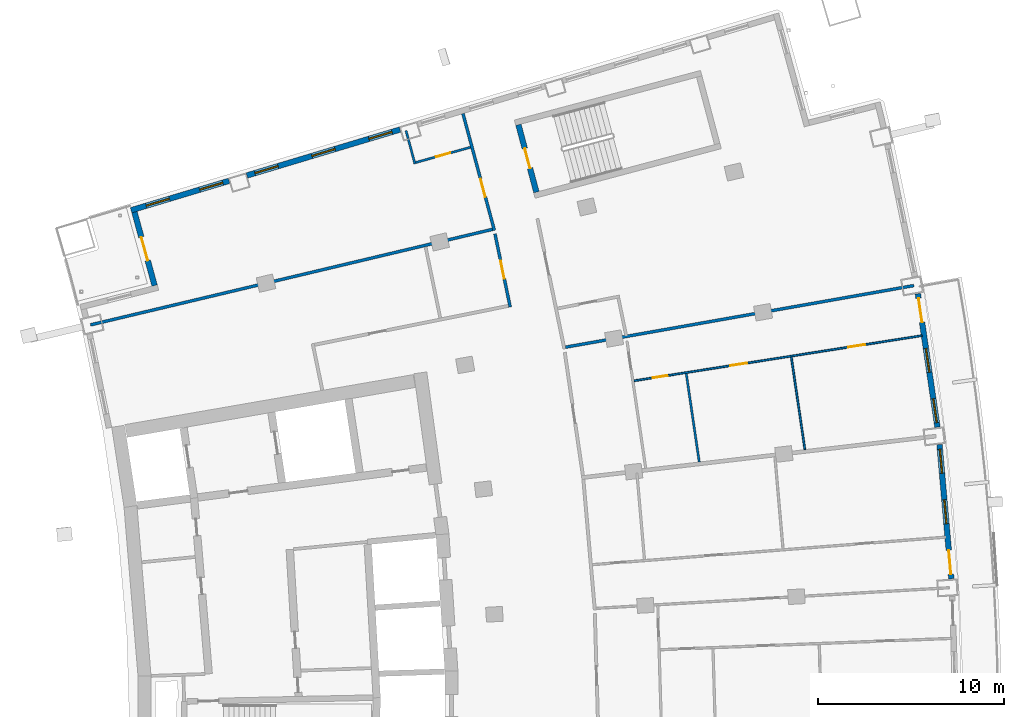
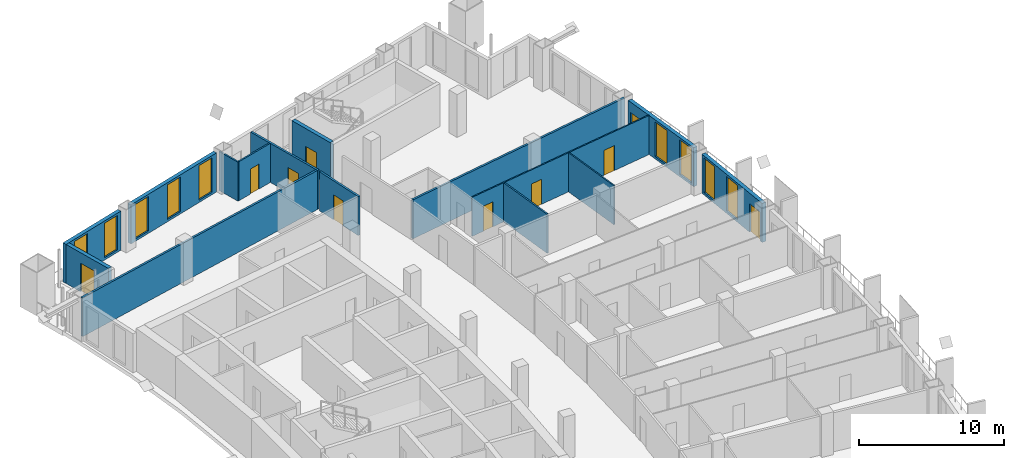
# One storey, part 16 of 21: 15 walls, 10 doors, 9 windows, 19 openings.
"""IFC4 building model written with IfcOpenShell, lengths in metres."""

from ifc_helpers import new_model, si_unit, direction, frame, frame_2d, origin, place, context, subcontext, project, spatial, rectangle, extrude, material, layer, layer_set, type_object, element, fill, save


model = new_model("IFC4")

# Units and contexts
model_context = context("Model", 3, precision=1e-05, world=origin(), true_north=direction((0.0, 1.0)))
body_context = subcontext(model_context, "Body", "Model", "MODEL_VIEW")
ifc_project = project(units=[si_unit("LENGTHUNIT", "METRE"), si_unit("AREAUNIT", "SQUARE_METRE"), si_unit("VOLUMEUNIT", "CUBIC_METRE"), si_unit("PLANEANGLEUNIT", "RADIAN"), si_unit("MASSUNIT", "GRAM", prefix="KILO")], contexts=[model_context])

# Site, building, storey
site_placement = place(None, origin())
site = spatial("IfcSite", under=ifc_project, at=site_placement, CompositionType="ELEMENT")
building_placement = place(site_placement, origin())
building = spatial("IfcBuilding", under=site, at=building_placement, Name="Alderwake Tower", CompositionType="ELEMENT")
storey_placement = place(building_placement, frame((0.0, 0.0, 146.0)))
storey = spatial("IfcBuildingStorey", under=building, at=storey_placement, Name="L35", CompositionType="ELEMENT", Elevation=146.0)

# Wall, opening, door
ifc_material_1 = material(Name="Concrete C70/85", Category="concrete")
ifc_layer_1 = layer(ifc_material_1, 0.300048828125)
ifc_layer_set_1 = layer_set([ifc_layer_1], Name="Core wall stair enclosure 300 C70-85")
wall_type_1 = type_object("IfcWallType", Name="Core wall stair enclosure 300 C70-85", PredefinedType="SHEAR", material=ifc_layer_set_1)
wall_1_placement = place(storey_placement, frame((37.8603515625, 90.452392578125, 0.0), z_axis=(0.0, 0.0, 1.0), x_axis=(-0.257411420208, 0.966301899381, 0.0)))
wall_1 = element("IfcWall", 1, at=wall_1_placement, inside=storey, type_object=wall_type_1, Name="Core wall CW.083", PredefinedType="SHEAR", context=body_context, shape_type="SweptSolid", body=[
    extrude(rectangle(XDim=3.750244140625, YDim=0.300048828125, at=frame_2d((1.875, 0.0))), origin(), (0.0, 0.0, 1.0), 3.60009765625),
])
opening_1_placement = place(wall_1_placement, frame((1.324951171875, 0.0, 0.0)))
opening_1 = element("IfcOpeningElement", 2, at=opening_1_placement, cuts=wall_1, Name="Opening C062", PredefinedType="OPENING", context=body_context, shape_type="SweptSolid", body=[
    extrude(rectangle(XDim=1.10009765625, YDim=2.10009765625, at=frame_2d((0.550048828125, 1.050048828125))), frame((0.0, 0.159912109375, 0.0), z_axis=(0.0, -1.0, 0.0), x_axis=(1.0, 0.0, 0.0)), (0.0, 0.0, 1.0), 0.320068359375),
])
ifc_material_2 = material(Name="Steel-framed fire door leaf", Category="steel")
door_type_1 = type_object("IfcDoorType", Name="Core stair door 1100 fire-rated", OperationType="SINGLE_SWING_LEFT", PredefinedType="DOOR", material=ifc_material_2)
door_1_placement = place(opening_1_placement, origin())
door_1 = element("IfcDoor", 3, at=door_1_placement, inside=storey, type_object=door_type_1, Name="Stair door", OperationType="SINGLE_SWING_RIGHT", OverallHeight=2.10009765625, OverallWidth=1.10009765625, PredefinedType="DOOR", context=body_context, shape_type="SweptSolid", body=[
    extrude(rectangle(XDim=1.10009765625, YDim=2.10009765625, at=frame_2d((0.550048828125, 1.050048828125))), frame((0.0, 0.02490234375, 0.0), z_axis=(0.0, -1.0, 0.0), x_axis=(1.0, 0.0, 0.0)), (0.0, 0.0, 1.0), 0.050048828125),
])
fill(opening_1, door_1)

ifc_material_3 = material(Name="Gypsum board on metal studs, rated")
ifc_layer_2 = layer(ifc_material_3, 0.159912109375)
ifc_layer_set_2 = layer_set([ifc_layer_2], Name="Corridor wall 160")
wall_type_2 = type_object("IfcWallType", Name="Corridor wall 160", PredefinedType="PARTITIONING", material=ifc_layer_set_2)
wall_2_placement = place(storey_placement, frame((35.600830078125, 88.392578125, 0.0), z_axis=(0.0, 0.0, 1.0), x_axis=(-0.259509260101, 0.965740619381, 0.0)))
wall_2 = element("IfcWall", 4, at=wall_2_placement, inside=storey, type_object=wall_type_2, Name="WL/L35/W15", PredefinedType="PARTITIONING", context=body_context, shape_type="SweptSolid", body=[
    extrude(rectangle(XDim=6.50732421875, YDim=0.159912109375, at=frame_2d((3.253662109375, 0.0))), origin(), (0.0, 0.0, 1.0), 3.280029296875),
])
opening_2_placement = place(wall_2_placement, frame((1.865478515625, 0.0, 0.0)))
opening_2 = element("IfcOpeningElement", 5, at=opening_2_placement, cuts=wall_2, Name="Opening R09-U09.1", PredefinedType="OPENING", context=body_context, shape_type="SweptSolid", body=[
    extrude(rectangle(XDim=1.0, YDim=2.10009765625, at=frame_2d((0.5, 1.050048828125))), frame((0.0, 0.08984375, 0.0), z_axis=(0.0, -1.0, 0.0), x_axis=(1.0, 0.0, 0.0)), (0.0, 0.0, 1.0), 0.179931640625),
])
ifc_material_4 = material(Name="Solid timber leaf in steel frame", Category="steel")
door_type_2 = type_object("IfcDoorType", Name="Flat entrance door 1000 fire-rated", OperationType="SINGLE_SWING_LEFT", PredefinedType="DOOR", material=ifc_material_4)
door_2_placement = place(opening_2_placement, origin())
door_2 = element("IfcDoor", 6, at=door_2_placement, inside=storey, type_object=door_type_2, Name="DR/L35/U09.1", OperationType="SINGLE_SWING_LEFT", OverallHeight=2.10009765625, OverallWidth=1.0, PredefinedType="DOOR", context=body_context, shape_type="SweptSolid", body=[
    extrude(rectangle(XDim=1.0, YDim=2.10009765625, at=frame_2d((0.5, 1.050048828125))), frame((0.0, 0.02490234375, 0.0), z_axis=(0.0, -1.0, 0.0), x_axis=(1.0, 0.0, 0.0)), (0.0, 0.0, 1.0), 0.050048828125),
])
fill(opening_2, door_2)

# Wall
wall_3_placement = place(storey_placement, frame((35.502197265625, 88.451416015625, 0.0), z_axis=(0.0, 0.0, 1.0), x_axis=(-0.972894913244, -0.231247676278, 0.0)))
element("IfcWall", 7, at=wall_3_placement, inside=storey, type_object=wall_type_2, Name="WL/L35/W17", PredefinedType="PARTITIONING", context=body_context, shape_type="SweptSolid", body=[
    extrude(rectangle(XDim=22.220458984375, YDim=0.159912109375, at=frame_2d((11.1103515625, 0.0))), origin(), (0.0, 0.0, 1.0), 3.280029296875),
])

# Wall, opening, door
wall_4_placement = place(storey_placement, frame((36.451416015625, 84.272705078125, 0.0), z_axis=(0.0, 0.0, 1.0), x_axis=(-0.203258199701, 0.979125172924, 0.0)))
wall_4 = element("IfcWall", 8, at=wall_4_placement, inside=storey, type_object=wall_type_2, Name="WL/L35/W18", PredefinedType="PARTITIONING", context=body_context, shape_type="SweptSolid", body=[
    extrude(rectangle(XDim=4.020263671875, YDim=0.159912109375, at=frame_2d((2.01025390625, 0.0))), origin(), (0.0, 0.0, 1.0), 3.280029296875),
])
opening_3_placement = place(wall_4_placement, frame((1.549560546875, 0.0, 0.0)))
opening_3 = element("IfcOpeningElement", 9, at=opening_3_placement, cuts=wall_4, Name="Opening R09-SBN2", PredefinedType="OPENING", context=body_context, shape_type="SweptSolid", body=[
    extrude(rectangle(XDim=1.0, YDim=2.10009765625, at=frame_2d((0.5, 1.050048828125))), frame((0.0, 0.08984375, 0.0), z_axis=(0.0, -1.0, 0.0), x_axis=(1.0, 0.0, 0.0)), (0.0, 0.0, 1.0), 0.179931640625),
])
ifc_material_5 = material(Name="Steel-framed fire door leaf", Category="steel")
door_type_3 = type_object("IfcDoorType", Name="Plant room door 1000 fire-rated", OperationType="SINGLE_SWING_LEFT", PredefinedType="DOOR", material=ifc_material_5)
door_3_placement = place(opening_3_placement, origin())
door_3 = element("IfcDoor", 10, at=door_3_placement, inside=storey, type_object=door_type_3, Name="DR/L35/SBN2", OperationType="SINGLE_SWING_LEFT", OverallHeight=2.10009765625, OverallWidth=1.0, PredefinedType="DOOR", context=body_context, shape_type="SweptSolid", body=[
    extrude(rectangle(XDim=1.0, YDim=2.10009765625, at=frame_2d((0.5, 1.050048828125))), frame((0.0, 0.02490234375, 0.0), z_axis=(0.0, -1.0, 0.0), x_axis=(1.0, 0.0, 0.0)), (0.0, 0.0, 1.0), 0.050048828125),
])
fill(opening_3, door_3)

# Wall
wall_5_placement = place(storey_placement, frame((58.157958984375, 85.427978515625, 0.0), z_axis=(0.0, 0.0, 1.0), x_axis=(-0.9847161674, -0.174166786904, 0.0)))
element("IfcWall", 11, at=wall_5_placement, inside=storey, type_object=wall_type_2, Name="WL/L35/W29", PredefinedType="PARTITIONING", context=body_context, shape_type="SweptSolid", body=[
    extrude(rectangle(XDim=19.02197265625, YDim=0.159912109375, at=frame_2d((9.510986328125, 0.0))), origin(), (0.0, 0.0, 1.0), 3.280029296875),
])

# Wall, openings, door, windows
ifc_material_6 = material(Name="Precast concrete C50/60 spandrel panel", Category="concrete")
ifc_layer_3 = layer(ifc_material_6, 0.300048828125)
ifc_layer_set_3 = layer_set([ifc_layer_3], Name="External wall EW1 Precast concrete C50/60 spandrel")
wall_type_3 = type_object("IfcWallType", Name="External wall EW1 Precast concrete C50/60 spandrel", PredefinedType="SOLIDWALL", material=ifc_layer_set_3)
wall_6_placement = place(storey_placement, frame((60.169677734375, 69.65966796875, 0.0), z_axis=(0.0, 0.0, 1.0), x_axis=(-0.08737260162, 0.996175701614, 0.0)))
wall_6 = element("IfcWall", 12, at=wall_6_placement, inside=storey, type_object=wall_type_3, Name="External wall 17", PredefinedType="SOLIDWALL", context=body_context, shape_type="SweptSolid", body=[
    extrude(rectangle(XDim=7.245361328125, YDim=0.300048828125, at=frame_2d((3.62255859375, 0.0))), origin(), (0.0, 0.0, 1.0), 3.280029296875),
])
opening_4_placement = place(wall_6_placement, frame((0.2470703125, 0.0, 0.0)))
opening_4 = element("IfcOpeningElement", 13, at=opening_4_placement, cuts=wall_6, Name="Opening D07", PredefinedType="OPENING", context=body_context, shape_type="SweptSolid", body=[
    extrude(rectangle(XDim=1.300048828125, YDim=2.39990234375, at=frame_2d((0.64990234375, 1.199951171875))), frame((0.0, 0.159912109375, 0.0), z_axis=(0.0, -1.0, 0.0), x_axis=(1.0, 0.0, 0.0)), (0.0, 0.0, 1.0), 0.320068359375),
])
opening_5_placement = place(wall_6_placement, frame((2.97265625, 0.0, 0.199951171875)))
opening_5 = element("IfcOpeningElement", 14, at=opening_5_placement, cuts=wall_6, Name="Opening W1", PredefinedType="OPENING", context=body_context, shape_type="SweptSolid", body=[
    extrude(rectangle(XDim=1.300048828125, YDim=2.89990234375, at=frame_2d((0.64990234375, 1.449951171875))), frame((0.0, 0.159912109375, 0.0), z_axis=(0.0, -1.0, 0.0), x_axis=(1.0, 0.0, 0.0)), (0.0, 0.0, 1.0), 0.320068359375),
])
opening_6_placement = place(wall_6_placement, frame((5.698486328125, 0.0, 0.199951171875)))
opening_6 = element("IfcOpeningElement", 15, at=opening_6_placement, cuts=wall_6, Name="Opening W1", PredefinedType="OPENING", context=body_context, shape_type="SweptSolid", body=[
    extrude(rectangle(XDim=1.300048828125, YDim=2.89990234375, at=frame_2d((0.64990234375, 1.449951171875))), frame((0.0, 0.159912109375, 0.0), z_axis=(0.0, -1.0, 0.0), x_axis=(1.0, 0.0, 0.0)), (0.0, 0.0, 1.0), 0.320068359375),
])
ifc_material_7 = material(Name="Bronze tinted glass in aluminium frame", Category="aluminium")
door_type_4 = type_object("IfcDoorType", Name="Balcony door BD sliding", OperationType="SLIDING_TO_LEFT", PredefinedType="DOOR", material=ifc_material_7)
door_4_placement = place(opening_4_placement, origin())
door_4 = element("IfcDoor", 16, at=door_4_placement, inside=storey, type_object=door_type_4, Name="Door D07", OperationType="SLIDING_TO_LEFT", OverallHeight=2.39990234375, OverallWidth=1.300048828125, PredefinedType="DOOR", context=body_context, shape_type="SweptSolid", body=[
    extrude(rectangle(XDim=1.300048828125, YDim=2.39990234375, at=frame_2d((0.64990234375, 1.199951171875))), frame((0.0, 0.02490234375, 0.0), z_axis=(0.0, -1.0, 0.0), x_axis=(1.0, 0.0, 0.0)), (0.0, 0.0, 1.0), 0.050048828125),
])
fill(opening_4, door_4)
ifc_material_8 = material(Name="Bronze tinted glass in aluminium frame", Category="aluminium")
window_type = type_object("IfcWindowType", Name="Window W1 tall fixed and vent", PartitioningType="DOUBLE_PANEL_VERTICAL", PredefinedType="WINDOW", material=ifc_material_8)
window_1_placement = place(opening_5_placement, origin())
window_1 = element("IfcWindow", 17, at=window_1_placement, inside=storey, type_object=window_type, Name="Window W1 tall fixed and vent", OverallHeight=2.89990234375, OverallWidth=1.300048828125, PartitioningType="DOUBLE_PANEL_VERTICAL", PredefinedType="WINDOW", context=body_context, shape_type="SweptSolid", body=[
    extrude(rectangle(XDim=1.300048828125, YDim=2.89990234375, at=frame_2d((0.64990234375, 1.449951171875))), frame((0.0, 0.030029296875, 0.0), z_axis=(0.0, -1.0, 0.0), x_axis=(1.0, 0.0, 0.0)), (0.0, 0.0, 1.0), 0.06005859375),
])
fill(opening_5, window_1)
window_2_placement = place(opening_6_placement, origin())
window_2 = element("IfcWindow", 18, at=window_2_placement, inside=storey, type_object=window_type, Name="Window W1 tall fixed and vent", OverallHeight=2.89990234375, OverallWidth=1.300048828125, PartitioningType="DOUBLE_PANEL_VERTICAL", PredefinedType="WINDOW", context=body_context, shape_type="SweptSolid", body=[
    extrude(rectangle(XDim=1.300048828125, YDim=2.89990234375, at=frame_2d((0.64990234375, 1.449951171875))), frame((0.0, 0.030029296875, 0.0), z_axis=(0.0, -1.0, 0.0), x_axis=(1.0, 0.0, 0.0)), (0.0, 0.0, 1.0), 0.06005859375),
])
fill(opening_6, window_2)

wall_7_placement = place(storey_placement, frame((59.426513671875, 77.81689453125, 0.0), z_axis=(0.0, 0.0, 1.0), x_axis=(-0.145331014962, 0.989383088642, 0.0)))
wall_7 = element("IfcWall", 19, at=wall_7_placement, inside=storey, type_object=wall_type_3, Name="External wall 18", PredefinedType="SOLIDWALL", context=body_context, shape_type="SweptSolid", body=[
    extrude(rectangle(XDim=7.245361328125, YDim=0.300048828125, at=frame_2d((3.62255859375, 0.0))), origin(), (0.0, 0.0, 1.0), 3.280029296875),
])
opening_7_placement = place(wall_7_placement, frame((0.2470703125, 0.0, 0.199951171875)))
opening_7 = element("IfcOpeningElement", 20, at=opening_7_placement, cuts=wall_7, Name="Opening W1", PredefinedType="OPENING", context=body_context, shape_type="SweptSolid", body=[
    extrude(rectangle(XDim=1.300048828125, YDim=2.89990234375, at=frame_2d((0.64990234375, 1.449951171875))), frame((0.0, 0.159912109375, 0.0), z_axis=(0.0, -1.0, 0.0), x_axis=(1.0, 0.0, 0.0)), (0.0, 0.0, 1.0), 0.320068359375),
])
opening_8_placement = place(wall_7_placement, frame((2.97265625, 0.0, 0.199951171875)))
opening_8 = element("IfcOpeningElement", 21, at=opening_8_placement, cuts=wall_7, Name="Opening W1", PredefinedType="OPENING", context=body_context, shape_type="SweptSolid", body=[
    extrude(rectangle(XDim=1.300048828125, YDim=2.89990234375, at=frame_2d((0.64990234375, 1.449951171875))), frame((0.0, 0.159912109375, 0.0), z_axis=(0.0, -1.0, 0.0), x_axis=(1.0, 0.0, 0.0)), (0.0, 0.0, 1.0), 0.320068359375),
])
opening_9_placement = place(wall_7_placement, frame((5.698486328125, 0.0, 0.0)))
opening_9 = element("IfcOpeningElement", 22, at=opening_9_placement, cuts=wall_7, Name="Opening D08", PredefinedType="OPENING", context=body_context, shape_type="SweptSolid", body=[
    extrude(rectangle(XDim=1.300048828125, YDim=2.39990234375, at=frame_2d((0.64990234375, 1.199951171875))), frame((0.0, 0.159912109375, 0.0), z_axis=(0.0, -1.0, 0.0), x_axis=(1.0, 0.0, 0.0)), (0.0, 0.0, 1.0), 0.320068359375),
])
door_5_placement = place(opening_9_placement, origin())
door_5 = element("IfcDoor", 23, at=door_5_placement, inside=storey, type_object=door_type_4, Name="Door D08", OperationType="SLIDING_TO_LEFT", OverallHeight=2.39990234375, OverallWidth=1.300048828125, PredefinedType="DOOR", context=body_context, shape_type="SweptSolid", body=[
    extrude(rectangle(XDim=1.300048828125, YDim=2.39990234375, at=frame_2d((0.64990234375, 1.199951171875))), frame((0.0, 0.02490234375, 0.0), z_axis=(0.0, -1.0, 0.0), x_axis=(1.0, 0.0, 0.0)), (0.0, 0.0, 1.0), 0.050048828125),
])
fill(opening_9, door_5)
window_3_placement = place(opening_7_placement, origin())
window_3 = element("IfcWindow", 24, at=window_3_placement, inside=storey, type_object=window_type, Name="Window W1 tall fixed and vent", OverallHeight=2.89990234375, OverallWidth=1.300048828125, PartitioningType="DOUBLE_PANEL_VERTICAL", PredefinedType="WINDOW", context=body_context, shape_type="SweptSolid", body=[
    extrude(rectangle(XDim=1.300048828125, YDim=2.89990234375, at=frame_2d((0.64990234375, 1.449951171875))), frame((0.0, 0.030029296875, 0.0), z_axis=(0.0, -1.0, 0.0), x_axis=(1.0, 0.0, 0.0)), (0.0, 0.0, 1.0), 0.06005859375),
])
fill(opening_7, window_3)
window_4_placement = place(opening_8_placement, origin())
window_4 = element("IfcWindow", 25, at=window_4_placement, inside=storey, type_object=window_type, Name="Window W1 tall fixed and vent", OverallHeight=2.89990234375, OverallWidth=1.300048828125, PartitioningType="DOUBLE_PANEL_VERTICAL", PredefinedType="WINDOW", context=body_context, shape_type="SweptSolid", body=[
    extrude(rectangle(XDim=1.300048828125, YDim=2.89990234375, at=frame_2d((0.64990234375, 1.449951171875))), frame((0.0, 0.030029296875, 0.0), z_axis=(0.0, -1.0, 0.0), x_axis=(1.0, 0.0, 0.0)), (0.0, 0.0, 1.0), 0.06005859375),
])
fill(opening_8, window_4)

# Wall, openings, windows
ifc_material_9 = material(Name="Bronze metal cladding on lightweight framing")
ifc_layer_4 = layer(ifc_material_9, 0.300048828125)
ifc_layer_set_4 = layer_set([ifc_layer_4], Name="External wall EW2 bronze metal cladding")
wall_type_4 = type_object("IfcWallType", Name="External wall EW2 bronze metal cladding", PredefinedType="SOLIDWALL", material=ifc_layer_set_4)
wall_8_placement = place(storey_placement, frame((30.527587890625, 93.818115234375, 0.0), z_axis=(0.0, 0.0, 1.0), x_axis=(-0.957768419769, -0.287540699891, 0.0)))
wall_8 = element("IfcWall", 26, at=wall_8_placement, inside=storey, type_object=wall_type_4, Name="External wall 26", PredefinedType="SOLIDWALL", context=body_context, shape_type="SweptSolid", body=[
    extrude(rectangle(XDim=8.595947265625, YDim=0.300048828125, at=frame_2d((4.2978515625, 0.0))), origin(), (0.0, 0.0, 1.0), 3.280029296875),
])
opening_10_placement = place(wall_8_placement, frame((0.447998046875, 0.0, 0.199951171875)))
opening_10 = element("IfcOpeningElement", 27, at=opening_10_placement, cuts=wall_8, Name="Opening W1", PredefinedType="OPENING", context=body_context, shape_type="SweptSolid", body=[
    extrude(rectangle(XDim=1.300048828125, YDim=2.89990234375, at=frame_2d((0.64990234375, 1.449951171875))), frame((0.0, 0.159912109375, 0.0), z_axis=(0.0, -1.0, 0.0), x_axis=(1.0, 0.0, 0.0)), (0.0, 0.0, 1.0), 0.320068359375),
])
opening_11_placement = place(wall_8_placement, frame((3.64794921875, 0.0, 0.199951171875)))
opening_11 = element("IfcOpeningElement", 28, at=opening_11_placement, cuts=wall_8, Name="Opening W1", PredefinedType="OPENING", context=body_context, shape_type="SweptSolid", body=[
    extrude(rectangle(XDim=1.300048828125, YDim=2.89990234375, at=frame_2d((0.64990234375, 1.449951171875))), frame((0.0, 0.159912109375, 0.0), z_axis=(0.0, -1.0, 0.0), x_axis=(1.0, 0.0, 0.0)), (0.0, 0.0, 1.0), 0.320068359375),
])
opening_12_placement = place(wall_8_placement, frame((6.84814453125, 0.0, 0.199951171875)))
opening_12 = element("IfcOpeningElement", 29, at=opening_12_placement, cuts=wall_8, Name="Opening W1", PredefinedType="OPENING", context=body_context, shape_type="SweptSolid", body=[
    extrude(rectangle(XDim=1.300048828125, YDim=2.89990234375, at=frame_2d((0.64990234375, 1.449951171875))), frame((0.0, 0.159912109375, 0.0), z_axis=(0.0, -1.0, 0.0), x_axis=(1.0, 0.0, 0.0)), (0.0, 0.0, 1.0), 0.320068359375),
])
window_5_placement = place(opening_10_placement, origin())
window_5 = element("IfcWindow", 30, at=window_5_placement, inside=storey, type_object=window_type, Name="Window W1 tall fixed and vent", OverallHeight=2.89990234375, OverallWidth=1.300048828125, PartitioningType="DOUBLE_PANEL_VERTICAL", PredefinedType="WINDOW", context=body_context, shape_type="SweptSolid", body=[
    extrude(rectangle(XDim=1.300048828125, YDim=2.89990234375, at=frame_2d((0.64990234375, 1.449951171875))), frame((0.0, 0.030029296875, 0.0), z_axis=(0.0, -1.0, 0.0), x_axis=(1.0, 0.0, 0.0)), (0.0, 0.0, 1.0), 0.06005859375),
])
fill(opening_10, window_5)
window_6_placement = place(opening_11_placement, origin())
window_6 = element("IfcWindow", 31, at=window_6_placement, inside=storey, type_object=window_type, Name="Window W1 tall fixed and vent", OverallHeight=2.89990234375, OverallWidth=1.300048828125, PartitioningType="DOUBLE_PANEL_VERTICAL", PredefinedType="WINDOW", context=body_context, shape_type="SweptSolid", body=[
    extrude(rectangle(XDim=1.300048828125, YDim=2.89990234375, at=frame_2d((0.64990234375, 1.449951171875))), frame((0.0, 0.030029296875, 0.0), z_axis=(0.0, -1.0, 0.0), x_axis=(1.0, 0.0, 0.0)), (0.0, 0.0, 1.0), 0.06005859375),
])
fill(opening_11, window_6)
window_7_placement = place(opening_12_placement, origin())
window_7 = element("IfcWindow", 32, at=window_7_placement, inside=storey, type_object=window_type, Name="Window W1 tall fixed and vent", OverallHeight=2.89990234375, OverallWidth=1.300048828125, PartitioningType="DOUBLE_PANEL_VERTICAL", PredefinedType="WINDOW", context=body_context, shape_type="SweptSolid", body=[
    extrude(rectangle(XDim=1.300048828125, YDim=2.89990234375, at=frame_2d((0.64990234375, 1.449951171875))), frame((0.0, 0.030029296875, 0.0), z_axis=(0.0, -1.0, 0.0), x_axis=(1.0, 0.0, 0.0)), (0.0, 0.0, 1.0), 0.06005859375),
])
fill(opening_12, window_7)

wall_9_placement = place(storey_placement, frame((21.332763671875, 91.0576171875, 0.0), z_axis=(0.0, 0.0, 1.0), x_axis=(-0.957767615614, -0.287543378434, 0.0)))
wall_9 = element("IfcWall", 33, at=wall_9_placement, inside=storey, type_object=wall_type_4, Name="External wall 27", PredefinedType="SOLIDWALL", context=body_context, shape_type="SweptSolid", body=[
    extrude(rectangle(XDim=5.499267578125, YDim=0.300048828125, at=frame_2d((2.74951171875, 0.0))), origin(), (0.0, 0.0, 1.0), 3.280029296875),
])
opening_13_placement = place(wall_9_placement, frame((0.34814453125, 0.0, 0.199951171875)))
opening_13 = element("IfcOpeningElement", 34, at=opening_13_placement, cuts=wall_9, Name="Opening W1", PredefinedType="OPENING", context=body_context, shape_type="SweptSolid", body=[
    extrude(rectangle(XDim=1.300048828125, YDim=2.89990234375, at=frame_2d((0.64990234375, 1.449951171875))), frame((0.0, 0.159912109375, 0.0), z_axis=(0.0, -1.0, 0.0), x_axis=(1.0, 0.0, 0.0)), (0.0, 0.0, 1.0), 0.320068359375),
])
opening_14_placement = place(wall_9_placement, frame((3.34912109375, 0.0, 0.199951171875)))
opening_14 = element("IfcOpeningElement", 35, at=opening_14_placement, cuts=wall_9, Name="Opening W1", PredefinedType="OPENING", context=body_context, shape_type="SweptSolid", body=[
    extrude(rectangle(XDim=1.300048828125, YDim=2.89990234375, at=frame_2d((0.64990234375, 1.449951171875))), frame((0.0, 0.159912109375, 0.0), z_axis=(0.0, -1.0, 0.0), x_axis=(1.0, 0.0, 0.0)), (0.0, 0.0, 1.0), 0.320068359375),
])
window_8_placement = place(opening_13_placement, origin())
window_8 = element("IfcWindow", 36, at=window_8_placement, inside=storey, type_object=window_type, Name="Window W1 tall fixed and vent", OverallHeight=2.89990234375, OverallWidth=1.300048828125, PartitioningType="DOUBLE_PANEL_VERTICAL", PredefinedType="WINDOW", context=body_context, shape_type="SweptSolid", body=[
    extrude(rectangle(XDim=1.300048828125, YDim=2.89990234375, at=frame_2d((0.64990234375, 1.449951171875))), frame((0.0, 0.030029296875, 0.0), z_axis=(0.0, -1.0, 0.0), x_axis=(1.0, 0.0, 0.0)), (0.0, 0.0, 1.0), 0.06005859375),
])
fill(opening_13, window_8)
window_9_placement = place(opening_14_placement, origin())
window_9 = element("IfcWindow", 37, at=window_9_placement, inside=storey, type_object=window_type, Name="Window W1 tall fixed and vent", OverallHeight=2.89990234375, OverallWidth=1.300048828125, PartitioningType="DOUBLE_PANEL_VERTICAL", PredefinedType="WINDOW", context=body_context, shape_type="SweptSolid", body=[
    extrude(rectangle(XDim=1.300048828125, YDim=2.89990234375, at=frame_2d((0.64990234375, 1.449951171875))), frame((0.0, 0.030029296875, 0.0), z_axis=(0.0, -1.0, 0.0), x_axis=(1.0, 0.0, 0.0)), (0.0, 0.0, 1.0), 0.06005859375),
])
fill(opening_14, window_9)

# Wall, opening, door
wall_10_placement = place(storey_placement, frame((16.248779296875, 89.374755859375, 0.0), z_axis=(0.0, 0.0, 1.0), x_axis=(0.264607053468, -0.964356317579, 0.0)))
wall_10 = element("IfcWall", 38, at=wall_10_placement, inside=storey, type_object=wall_type_4, Name="External wall 28", PredefinedType="SOLIDWALL", context=body_context, shape_type="SweptSolid", body=[
    extrude(rectangle(XDim=4.090087890625, YDim=0.300048828125, at=frame_2d((2.044921875, 0.0))), origin(), (0.0, 0.0, 1.0), 3.280029296875),
])
opening_15_placement = place(wall_10_placement, frame((1.39501953125, 0.0, 0.0)))
opening_15 = element("IfcOpeningElement", 39, at=opening_15_placement, cuts=wall_10, Name="Opening D09", PredefinedType="OPENING", context=body_context, shape_type="SweptSolid", body=[
    extrude(rectangle(XDim=1.300048828125, YDim=2.39990234375, at=frame_2d((0.64990234375, 1.199951171875))), frame((0.0, 0.159912109375, 0.0), z_axis=(0.0, -1.0, 0.0), x_axis=(1.0, 0.0, 0.0)), (0.0, 0.0, 1.0), 0.320068359375),
])
door_6_placement = place(opening_15_placement, origin())
door_6 = element("IfcDoor", 40, at=door_6_placement, inside=storey, type_object=door_type_4, Name="Door D09", OperationType="SLIDING_TO_LEFT", OverallHeight=2.39990234375, OverallWidth=1.300048828125, PredefinedType="DOOR", context=body_context, shape_type="SweptSolid", body=[
    extrude(rectangle(XDim=1.300048828125, YDim=2.39990234375, at=frame_2d((0.64990234375, 1.199951171875))), frame((0.0, 0.02490234375, 0.0), z_axis=(0.0, -1.0, 0.0), x_axis=(1.0, 0.0, 0.0)), (0.0, 0.0, 1.0), 0.050048828125),
])
fill(opening_15, door_6)

# Wall, openings, doors
ifc_material_10 = material(Name="Gypsum board on metal studs")
ifc_layer_5 = layer(ifc_material_10, 0.10009765625)
ifc_layer_set_5 = layer_set([ifc_layer_5], Name="Unit partition 100")
wall_type_5 = type_object("IfcWallType", Name="Unit partition 100", PredefinedType="PARTITIONING", material=ifc_layer_set_5)
wall_11_placement = place(storey_placement, frame((58.60205078125, 82.737060546875, 0.0), z_axis=(0.0, 0.0, 1.0), x_axis=(-0.98792476, -0.154934400888, 0.0)))
wall_11 = element("IfcWall", 41, at=wall_11_placement, inside=storey, type_object=wall_type_5, Name="WL/L35/W49", PredefinedType="PARTITIONING", context=body_context, shape_type="SweptSolid", body=[
    extrude(rectangle(XDim=15.68212890625, YDim=0.10009765625, at=frame_2d((7.841064453125, 0.0))), origin(), (0.0, 0.0, 1.0), 3.280029296875),
])
opening_16_placement = place(wall_11_placement, frame((9.535400390625, 0.0, 0.0)))
opening_16 = element("IfcOpeningElement", 42, at=opening_16_placement, cuts=wall_11, Name="Opening R09-U07.1", PredefinedType="OPENING", context=body_context, shape_type="SweptSolid", body=[
    extrude(rectangle(XDim=0.89990234375, YDim=2.10009765625, at=frame_2d((0.449951171875, 1.050048828125))), frame((0.0, 0.06005859375, 0.0), z_axis=(0.0, -1.0, 0.0), x_axis=(1.0, 0.0, 0.0)), (0.0, 0.0, 1.0), 0.1201171875),
])
opening_17_placement = place(wall_11_placement, frame((13.86328125, 0.0, 0.0)))
opening_17 = element("IfcOpeningElement", 43, at=opening_17_placement, cuts=wall_11, Name="Opening R09-U07.4", PredefinedType="OPENING", context=body_context, shape_type="SweptSolid", body=[
    extrude(rectangle(XDim=0.800048828125, YDim=2.10009765625, at=frame_2d((0.39990234375, 1.050048828125))), frame((0.0, 0.06005859375, 0.0), z_axis=(0.0, -1.0, 0.0), x_axis=(1.0, 0.0, 0.0)), (0.0, 0.0, 1.0), 0.1201171875),
])
opening_18_placement = place(wall_11_placement, frame((3.11328125, 0.0, 0.0)))
opening_18 = element("IfcOpeningElement", 44, at=opening_18_placement, cuts=wall_11, Name="Opening R09-U07.5", PredefinedType="OPENING", context=body_context, shape_type="SweptSolid", body=[
    extrude(rectangle(XDim=0.89990234375, YDim=2.10009765625, at=frame_2d((0.449951171875, 1.050048828125))), frame((0.0, 0.06005859375, 0.0), z_axis=(0.0, -1.0, 0.0), x_axis=(1.0, 0.0, 0.0)), (0.0, 0.0, 1.0), 0.1201171875),
])
ifc_material_11 = material(Name="Painted timber leaf", Category="wood")
door_type_5 = type_object("IfcDoorType", Name="Bathroom door 800", OperationType="SINGLE_SWING_LEFT", PredefinedType="DOOR", material=ifc_material_11)
door_7_placement = place(opening_17_placement, origin())
door_7 = element("IfcDoor", 45, at=door_7_placement, inside=storey, type_object=door_type_5, Name="DR/L35/U07.4", OperationType="SINGLE_SWING_LEFT", OverallHeight=2.10009765625, OverallWidth=0.800048828125, PredefinedType="DOOR", context=body_context, shape_type="SweptSolid", body=[
    extrude(rectangle(XDim=0.800048828125, YDim=2.10009765625, at=frame_2d((0.39990234375, 1.050048828125))), frame((0.0, 0.02490234375, 0.0), z_axis=(0.0, -1.0, 0.0), x_axis=(1.0, 0.0, 0.0)), (0.0, 0.0, 1.0), 0.050048828125),
])
fill(opening_17, door_7)
ifc_material_12 = material(Name="Painted timber leaf", Category="wood")
door_type_6 = type_object("IfcDoorType", Name="Room door 900", OperationType="SINGLE_SWING_LEFT", PredefinedType="DOOR", material=ifc_material_12)
door_8_placement = place(opening_16_placement, origin())
door_8 = element("IfcDoor", 46, at=door_8_placement, inside=storey, type_object=door_type_6, Name="DR/L35/U07.1", OperationType="SINGLE_SWING_LEFT", OverallHeight=2.10009765625, OverallWidth=0.89990234375, PredefinedType="DOOR", context=body_context, shape_type="SweptSolid", body=[
    extrude(rectangle(XDim=0.89990234375, YDim=2.10009765625, at=frame_2d((0.449951171875, 1.050048828125))), frame((0.0, 0.02490234375, 0.0), z_axis=(0.0, -1.0, 0.0), x_axis=(1.0, 0.0, 0.0)), (0.0, 0.0, 1.0), 0.050048828125),
])
fill(opening_16, door_8)
door_9_placement = place(opening_18_placement, origin())
door_9 = element("IfcDoor", 47, at=door_9_placement, inside=storey, type_object=door_type_6, Name="DR/L35/U07.5", OperationType="SINGLE_SWING_LEFT", OverallHeight=2.10009765625, OverallWidth=0.89990234375, PredefinedType="DOOR", context=body_context, shape_type="SweptSolid", body=[
    extrude(rectangle(XDim=0.89990234375, YDim=2.10009765625, at=frame_2d((0.449951171875, 1.050048828125))), frame((0.0, 0.02490234375, 0.0), z_axis=(0.0, -1.0, 0.0), x_axis=(1.0, 0.0, 0.0)), (0.0, 0.0, 1.0), 0.050048828125),
])
fill(opening_18, door_9)

# Walls
wall_12_placement = place(storey_placement, frame((52.299560546875, 76.60498046875, 0.0), z_axis=(0.0, 0.0, 1.0), x_axis=(-0.145312403771, 0.989385822271, 0.0)))
element("IfcWall", 48, at=wall_12_placement, inside=storey, type_object=wall_type_5, Name="WL/L35/W54", PredefinedType="PARTITIONING", context=body_context, shape_type="SweptSolid", body=[
    extrude(rectangle(XDim=5.031982421875, YDim=0.10009765625, at=frame_2d((2.51611328125, 0.0))), origin(), (0.0, 0.0, 1.0), 3.280029296875),
])
ifc_material_13 = material(Name="Moisture resistant gypsum board on metal studs")
ifc_layer_6 = layer(ifc_material_13, 0.1201171875)
ifc_layer_set_6 = layer_set([ifc_layer_6], Name="Wet room partition 120")
wall_type_6 = type_object("IfcWallType", Name="Wet room partition 120", PredefinedType="PARTITIONING", material=ifc_layer_set_6)
wall_13_placement = place(storey_placement, frame((30.84912109375, 93.759033203125, 0.0), z_axis=(0.0, 0.0, 1.0), x_axis=(0.259401464702, -0.965769579201, 0.0)))
element("IfcWall", 49, at=wall_13_placement, inside=storey, type_object=wall_type_6, Name="WL/L35/W30", PredefinedType="PARTITIONING", context=body_context, shape_type="SweptSolid", body=[
    extrude(rectangle(XDim=1.852294921875, YDim=0.1201171875, at=frame_2d((0.92626953125, 0.0))), origin(), (0.0, 0.0, 1.0), 3.280029296875),
])

# Wall, opening, door
wall_14_placement = place(storey_placement, frame((31.371826171875, 92.044189453125, 0.0), z_axis=(0.0, 0.0, 1.0), x_axis=(0.963351881246, 0.268240848677, 0.0)))
wall_14 = element("IfcWall", 50, at=wall_14_placement, inside=storey, type_object=wall_type_6, Name="WL/L35/W31", PredefinedType="PARTITIONING", context=body_context, shape_type="SweptSolid", body=[
    extrude(rectangle(XDim=3.05810546875, YDim=0.1201171875, at=frame_2d((1.529052734375, 0.0))), origin(), (0.0, 0.0, 1.0), 3.280029296875),
])
opening_19_placement = place(wall_14_placement, frame((1.129150390625, 0.0, 0.0)))
opening_19 = element("IfcOpeningElement", 51, at=opening_19_placement, cuts=wall_14, Name="Opening R09-U09.2", PredefinedType="OPENING", context=body_context, shape_type="SweptSolid", body=[
    extrude(rectangle(XDim=0.800048828125, YDim=2.10009765625, at=frame_2d((0.39990234375, 1.050048828125))), frame((0.0, 0.070068359375, 0.0), z_axis=(0.0, -1.0, 0.0), x_axis=(1.0, 0.0, 0.0)), (0.0, 0.0, 1.0), 0.14013671875),
])
door_10_placement = place(opening_19_placement, origin())
door_10 = element("IfcDoor", 52, at=door_10_placement, inside=storey, type_object=door_type_5, Name="DR/L35/U09.2", OperationType="SINGLE_SWING_LEFT", OverallHeight=2.10009765625, OverallWidth=0.800048828125, PredefinedType="DOOR", context=body_context, shape_type="SweptSolid", body=[
    extrude(rectangle(XDim=0.800048828125, YDim=2.10009765625, at=frame_2d((0.39990234375, 1.050048828125))), frame((0.0, 0.02490234375, 0.0), z_axis=(0.0, -1.0, 0.0), x_axis=(1.0, 0.0, 0.0)), (0.0, 0.0, 1.0), 0.050048828125),
])
fill(opening_19, door_10)

# Wall
wall_15_placement = place(storey_placement, frame((46.617431640625, 75.93896484375, 0.0), z_axis=(0.0, 0.0, 1.0), x_axis=(-0.145238137818, 0.989396726962, 0.0)))
element("IfcWall", 53, at=wall_15_placement, inside=storey, type_object=wall_type_6, Name="WL/L35/W43", PredefinedType="PARTITIONING", context=body_context, shape_type="SweptSolid", body=[
    extrude(rectangle(XDim=4.8076171875, YDim=0.1201171875, at=frame_2d((2.40380859375, 0.0))), origin(), (0.0, 0.0, 1.0), 3.280029296875),
])

save(model, "model.ifc")
